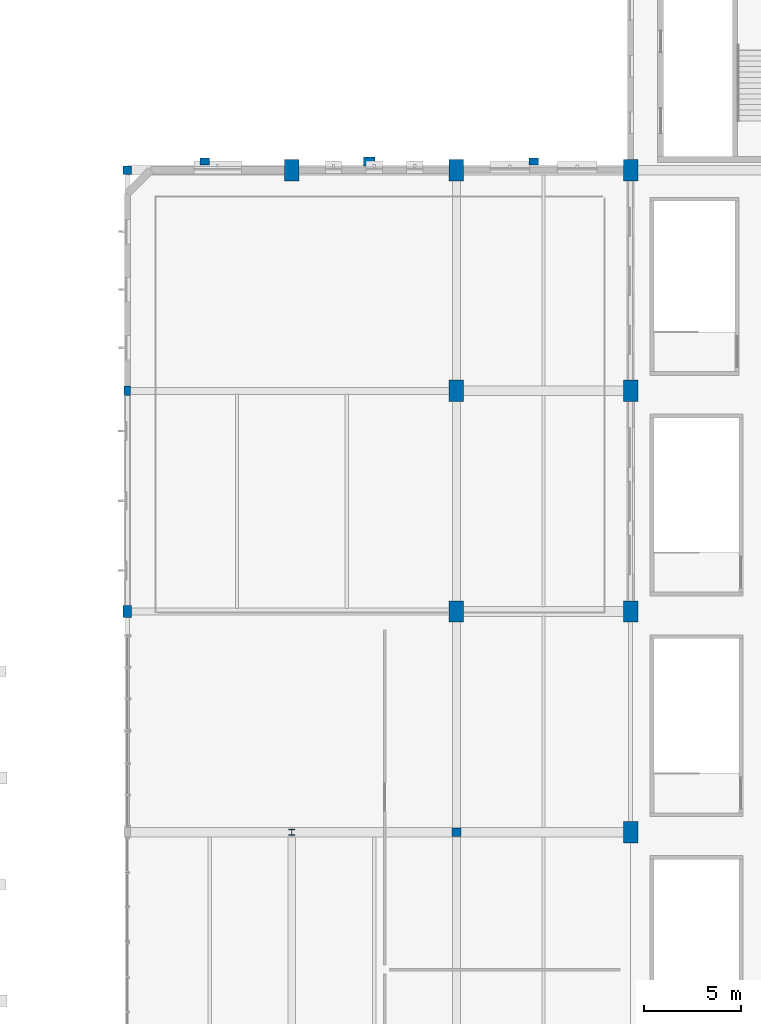
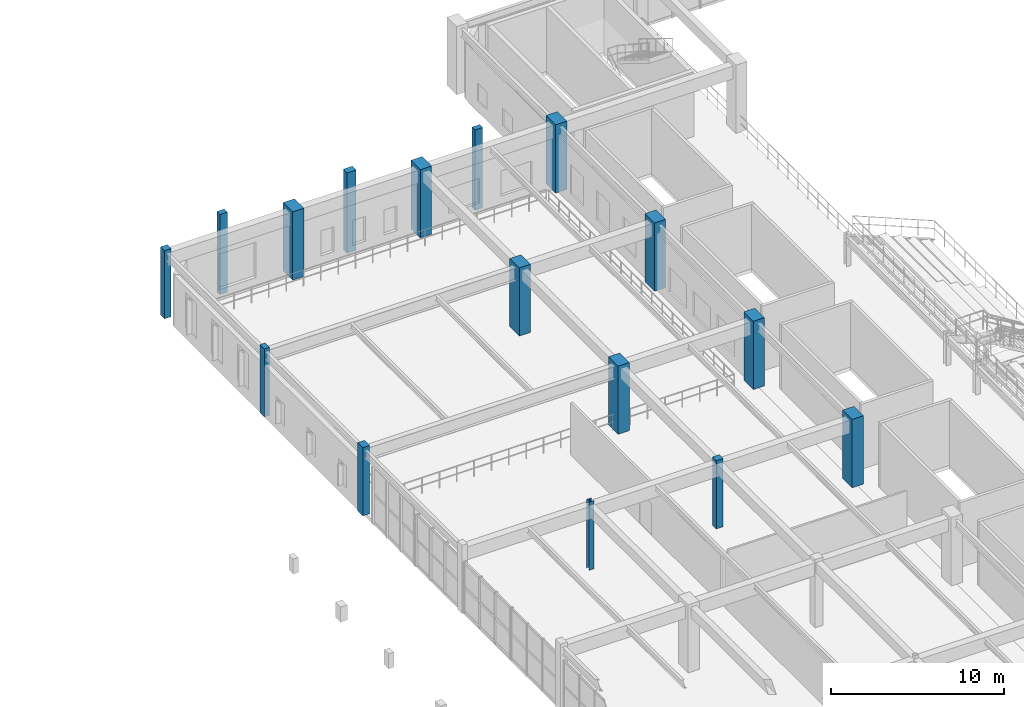
# One storey, part 10 of 106: 16 columns.
"""IFC4 building model written with IfcOpenShell, lengths in metres."""

from ifc_helpers import new_model, si_unit, direction, frame, origin, origin_2d, place, context, subcontext, project, spatial, rectangle, i_section, extrude, material, material_profile, profile_set, type_object, element, save


model = new_model("IFC4")

# Units and contexts
model_context = context("Model", 3, precision=1e-05, world=origin(), true_north=direction((0.0, 1.0)))
body_context = subcontext(model_context, "Body", "Model", "MODEL_VIEW")
ifc_project = project(units=[si_unit("LENGTHUNIT", "METRE"), si_unit("AREAUNIT", "SQUARE_METRE"), si_unit("VOLUMEUNIT", "CUBIC_METRE"), si_unit("PLANEANGLEUNIT", "RADIAN"), si_unit("MASSUNIT", "GRAM", prefix="KILO"), si_unit("POWERUNIT", "WATT"), si_unit("THERMODYNAMICTEMPERATUREUNIT", "KELVIN")], contexts=[model_context])

# Site, building, storey
site_placement = place(None, origin())
site = spatial("IfcSite", under=ifc_project, at=site_placement, CompositionType="ELEMENT")
building_placement = place(site_placement, origin())
building = spatial("IfcBuilding", under=site, at=building_placement, Name="Kelmbourne Parkland Aquatics Centre", CompositionType="ELEMENT")
storey_placement = place(building_placement, frame((0.0, 0.0, 5.39990234375)))
storey = spatial("IfcBuildingStorey", under=building, at=storey_placement, Name="L01", CompositionType="ELEMENT", Elevation=5.39990234375)

# Columns
ifc_material_1 = material(Name="Concrete C40/50", Category="concrete")
ifc_material_profile_1 = material_profile(ifc_material_1, rectangle(XDim=0.75, YDim=1.10009765625, at=origin_2d()), Name="RC 750x1100")
ifc_profile_set_1 = profile_set([ifc_material_profile_1], Name="Concrete C40/50")
column_type_1 = type_object("IfcColumnType", Name="COL-C03", PredefinedType="COLUMN", material=ifc_profile_set_1)
for number, where, z_axis, x_axis, name in (
    (1, (110.5, 103.39990234375, 0.0), (0.0, 0.0, 1.0), (1.0, 0.0, 0.0), "Structural column N-13 (L01)"),
    (2, (119.0, 80.60009765625, 0.0), (0.0, 0.0, 1.0), (1.0, 0.0, 0.0), "Structural column O-11 (L01)"),
    (3, (119.0, 92.0, 0.0), (0.0, 0.0, 1.0), (1.0, 0.0, 0.0), "Structural column O-12 (L01)"),
    (4, (119.0, 103.39990234375, 0.0), (0.0, 0.0, 1.0), (1.0, 0.0, 0.0), "Structural column O-13 (L01)"),
    (5, (128.0, 69.199951171875, 0.0), (0.0, 0.0, 1.0), (1.0, 0.0, 0.0), "Structural column P-10 (L01)"),
    (6, (128.0, 80.60009765625, 0.0), (0.0, 0.0, 1.0), (1.0, 0.0, 0.0), "Structural column P-11 (L01)"),
    (7, (128.0, 92.0, 0.0), (0.0, 0.0, 1.0), (1.0, 0.0, 0.0), "Structural column P-12 (L01)"),
    (8, (128.0, 103.39990234375, 0.0), (0.0, 0.0, 1.0), (1.0, 0.0, 0.0), "Structural column P-13 (L01)"),
):
    element("IfcColumn", number, at=place(storey_placement, frame(where, z_axis=z_axis, x_axis=x_axis)), inside=storey, type_object=column_type_1, Name=name, PredefinedType="COLUMN", context=body_context, shape_type="SweptSolid", body=[
        extrude(rectangle(XDim=0.75, YDim=1.10009765625, at=origin_2d()), origin(), (0.0, 0.0, 1.0), 4.800048828125),
    ])
ifc_material_profile_2 = material_profile(ifc_material_1, rectangle(XDim=0.449951171875, YDim=0.449951171875, at=origin_2d()), Name="RC 450x450")
ifc_profile_set_2 = profile_set([ifc_material_profile_2], Name="Concrete C40/50")
column_type_2 = type_object("IfcColumnType", Name="COL-C08", PredefinedType="COLUMN", material=ifc_profile_set_2)
for number, where, z_axis, x_axis, name in (
    (9, (102.0, 103.39990234375, 0.0), (0.0, 0.0, 1.0), (1.0, 0.0, 0.0), "Structural column M-13 (L01)"),
    (10, (119.0, 69.199951171875, 0.0), (0.0, 0.0, 1.0), (1.0, 0.0, 0.0), "Structural column O-10 (L01)"),
):
    element("IfcColumn", number, at=place(storey_placement, frame(where, z_axis=z_axis, x_axis=x_axis)), inside=storey, type_object=column_type_2, Name=name, PredefinedType="COLUMN", context=body_context, shape_type="SweptSolid", body=[
        extrude(rectangle(XDim=0.449951171875, YDim=0.449951171875, at=origin_2d()), origin(), (0.0, 0.0, 1.0), 4.800048828125),
    ])
ifc_material_2 = material(Name="Structural steel AS/NZS 3679.1 Grade 300", Category="steel")
ifc_material_profile_3 = material_profile(ifc_material_2, i_section(OverallWidth=0.30908203125, OverallDepth=0.321044921875, WebThickness=0.013916015625, FlangeThickness=0.021728515625, at=origin_2d()), Name="310UC137")
ifc_profile_set_3 = profile_set([ifc_material_profile_3], Name="Structural steel AS/NZS 3679.1 Grade 300")
column_type_3 = type_object("IfcColumnType", Name="COL-C15", PredefinedType="COLUMN", material=ifc_profile_set_3)
column_1_placement = place(storey_placement, frame((110.5, 69.199951171875, 0.0), z_axis=(0.0, 0.0, 1.0), x_axis=(1.0, 0.0, 0.0)))
element("IfcColumn", 11, at=column_1_placement, inside=storey, type_object=column_type_3, Name="Structural column N-10 (L01)", PredefinedType="COLUMN", context=body_context, shape_type="SweptSolid", body=[
    extrude(i_section(OverallWidth=0.30908203125, OverallDepth=0.321044921875, WebThickness=0.013916015625, FlangeThickness=0.021728515625, at=origin_2d()), origin(), (0.0, 0.0, 1.0), 4.800048828125),
])
ifc_material_3 = material(Name="Clay brick masonry AS 3700 M12", Category="masonry")
ifc_material_profile_4 = material_profile(ifc_material_3, rectangle(XDim=0.35009765625, YDim=0.5, at=origin_2d()), Name="PIL 350x500")
ifc_profile_set_4 = profile_set([ifc_material_profile_4], Name="Clay brick masonry AS 3700 M12")
column_type_4 = type_object("IfcColumnType", Name="PIL-PL1", PredefinedType="PILASTER", material=ifc_profile_set_4)
column_2_placement = place(storey_placement, frame((102.0, 92.0, 0.0), z_axis=(0.0, 0.0, 1.0), x_axis=(1.0, 0.0, 0.0)))
element("IfcColumn", 12, at=column_2_placement, inside=storey, type_object=column_type_4, Name="Engaged brick pilaster M-12 (L01)", PredefinedType="PILASTER", context=body_context, shape_type="SweptSolid", body=[
    extrude(rectangle(XDim=0.35009765625, YDim=0.5, at=origin_2d()), origin(), (0.0, 0.0, 1.0), 4.800048828125),
])
for number, where, z_axis, x_axis, name in (
    (13, (106.0, 103.85009765625, 0.0), (0.0, 0.0, 1.0), (0.0, 1.0, 0.0), "Amsterdam School engaged brick buttress NV4-055 (L01)"),
    (14, (123.0, 103.85009765625, 0.0), (0.0, 0.0, 1.0), (0.0, 1.0, 0.0), "Amsterdam School engaged brick buttress NV4-057 (L01)"),
):
    element("IfcColumn", number, at=place(storey_placement, frame(where, z_axis=z_axis, x_axis=x_axis)), inside=storey, type_object=column_type_4, Name=name, PredefinedType="PILASTER", context=body_context, shape_type="SweptSolid", body=[
        extrude(rectangle(XDim=0.35009765625, YDim=0.5, at=origin_2d()), origin(), (0.0, 0.0, 1.0), 5.650146484375),
    ])
ifc_material_profile_5 = material_profile(ifc_material_3, rectangle(XDim=0.449951171875, YDim=0.60009765625, at=origin_2d()), Name="PIL 450x600")
ifc_profile_set_5 = profile_set([ifc_material_profile_5], Name="Clay brick masonry AS 3700 M12")
column_type_5 = type_object("IfcColumnType", Name="PIL-PL2", PredefinedType="PILASTER", material=ifc_profile_set_5)
column_3_placement = place(storey_placement, frame((102.0, 80.60009765625, 0.0), z_axis=(0.0, 0.0, 1.0), x_axis=(1.0, 0.0, 0.0)))
element("IfcColumn", 15, at=column_3_placement, inside=storey, type_object=column_type_5, Name="Engaged brick pilaster M-11 (L01)", PredefinedType="PILASTER", context=body_context, shape_type="SweptSolid", body=[
    extrude(rectangle(XDim=0.449951171875, YDim=0.60009765625, at=origin_2d()), origin(), (0.0, 0.0, 1.0), 4.800048828125),
])
column_4_placement = place(storey_placement, frame((114.5, 103.85009765625, 0.0), z_axis=(0.0, 0.0, 1.0), x_axis=(0.0, 1.0, 0.0)))
element("IfcColumn", 16, at=column_4_placement, inside=storey, type_object=column_type_5, Name="Amsterdam School engaged brick buttress NV4-056 (L01)", PredefinedType="PILASTER", context=body_context, shape_type="SweptSolid", body=[
    extrude(rectangle(XDim=0.449951171875, YDim=0.60009765625, at=origin_2d()), origin(), (0.0, 0.0, 1.0), 5.650146484375),
])

save(model, "model.ifc")
